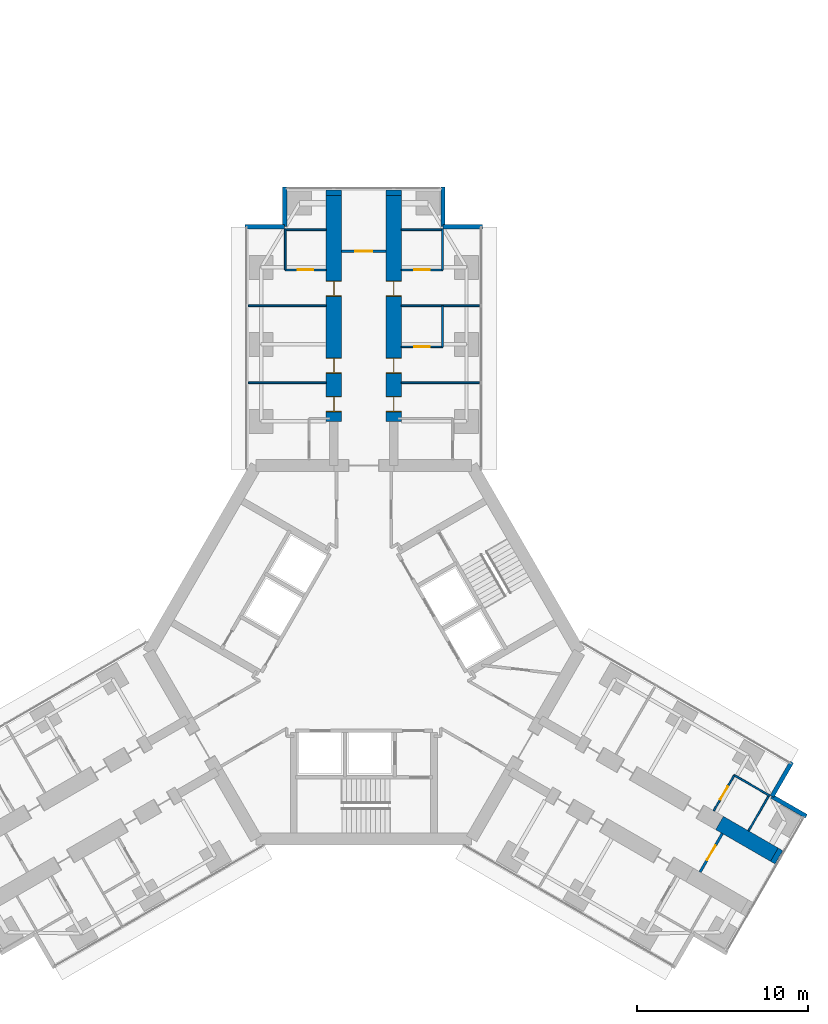
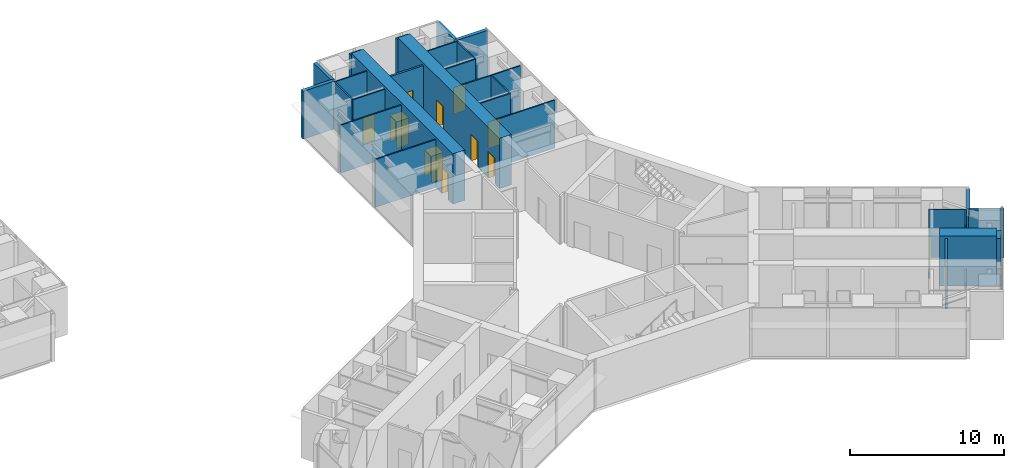
# One storey, part 23 of 25: 29 walls, 12 doors, 12 openings.
"""IFC4 building model written with IfcOpenShell, lengths in metres."""

from ifc_helpers import new_model, si_unit, direction, frame, frame_2d, origin, place, context, subcontext, project, spatial, rectangle, extrude, material, layer, layer_set, type_object, element, fill, save


model = new_model("IFC4")

# Units and contexts
model_context = context("Model", 3, precision=1e-05, world=origin(), true_north=direction((0.0, 1.0)))
body_context = subcontext(model_context, "Body", "Model", "MODEL_VIEW")
ifc_project = project(units=[si_unit("LENGTHUNIT", "METRE"), si_unit("AREAUNIT", "SQUARE_METRE"), si_unit("VOLUMEUNIT", "CUBIC_METRE"), si_unit("PLANEANGLEUNIT", "RADIAN"), si_unit("MASSUNIT", "GRAM", prefix="KILO")], contexts=[model_context])

# Site, building, storey
site_placement = place(None, origin())
site = spatial("IfcSite", under=ifc_project, at=site_placement, CompositionType="ELEMENT")
building_placement = place(site_placement, origin())
building = spatial("IfcBuilding", under=site, at=building_placement, Name="Upepo Twin Towers", CompositionType="ELEMENT")
storey_placement = place(building_placement, frame((0.0, 0.0, 72.5)))
storey = spatial("IfcBuildingStorey", under=building, at=storey_placement, Name="L17", CompositionType="ELEMENT", Elevation=72.5)

# Walls
ifc_material_1 = material(Name="Dense concrete blockwork", Category="masonry")
ifc_layer_1 = layer(ifc_material_1, 0.89990234375)
ifc_layer_set_1 = layer_set([ifc_layer_1], Name="Buttress closer 900, blockwork with fire-stopping to the curtain wall")
wall_type_1 = type_object("IfcWallType", Name="Buttress closer 900, blockwork with fire-stopping to the curtain wall", PredefinedType="PARTITIONING", material=ifc_layer_set_1)
for number, where, z_axis, x_axis, name in (
    (1, (56.75, 8.699951171875, 0.0), (0.0, 0.0, 1.0), (0.0, 1.0, 0.0), "T2 L17 wing A buttress closer L"),
    (2, (60.25, 8.699951171875, 0.0), (0.0, 0.0, 1.0), (0.0, 1.0, 0.0), "T2 L17 wing A buttress closer R"),
    (3, (82.497802734375, -29.83447265625, 0.0), (0.0, 0.0, 1.0), (0.866054481515, -0.499949632511, 0.0), "T2 L17 wing C buttress closer L"),
):
    element("IfcWall", number, at=place(storey_placement, frame(where, z_axis=z_axis, x_axis=x_axis)), inside=storey, type_object=wall_type_1, Name=name, PredefinedType="PARTITIONING", context=body_context, shape_type="SweptSolid", body=[
        extrude(rectangle(XDim=0.31005859375, YDim=0.89990234375, at=frame_2d((0.155029296875, 0.0))), origin(), (0.0, 0.0, 1.0), 3.800048828125),
    ])

# Wall, openings, doors
ifc_material_2 = material(Name="Concrete C60/75", Category="concrete")
ifc_layer_2 = layer(ifc_material_2, 0.89990234375)
ifc_layer_set_2 = layer_set([ifc_layer_2], Name="Concrete C60/75")
wall_type_2 = type_object("IfcWallType", Name="Buttress wall 900 RC", PredefinedType="SHEAR", material=ifc_layer_set_2)
wall_1_placement = place(storey_placement, frame((56.75, -4.5, 0.0), z_axis=(0.0, 0.0, 1.0), x_axis=(0.0, 1.0, 0.0)))
wall_1 = element("IfcWall", 4, at=wall_1_placement, inside=storey, type_object=wall_type_2, Name="T2 wing A buttress wall L part 2", PredefinedType="SHEAR", context=body_context, shape_type="SweptSolid", body=[
    extrude(rectangle(XDim=13.199951171875, YDim=0.89990234375, at=frame_2d((6.60009765625, 0.0))), origin(), (0.0, 0.0, 1.0), 4.0),
])
opening_1_placement = place(wall_1_placement, frame((0.550048828125, 0.0, 0.0)))
opening_1 = element("IfcOpeningElement", 5, at=opening_1_placement, cuts=wall_1, Name="Opening D11", PredefinedType="OPENING", context=body_context, shape_type="SweptSolid", body=[
    extrude(rectangle(XDim=0.89990234375, YDim=2.10009765625, at=frame_2d((0.449951171875, 1.050048828125))), frame((0.0, 0.4599609375, 0.0), z_axis=(0.0, -1.0, 0.0), x_axis=(1.0, 0.0, 0.0)), (0.0, 0.0, 1.0), 0.919921875),
])
opening_2_placement = place(wall_1_placement, frame((2.800048828125, 0.0, 0.0)))
opening_2 = element("IfcOpeningElement", 6, at=opening_2_placement, cuts=wall_1, Name="Opening D14", PredefinedType="OPENING", context=body_context, shape_type="SweptSolid", body=[
    extrude(rectangle(XDim=0.89990234375, YDim=2.10009765625, at=frame_2d((0.449951171875, 1.050048828125))), frame((0.0, 0.4599609375, 0.0), z_axis=(0.0, -1.0, 0.0), x_axis=(1.0, 0.0, 0.0)), (0.0, 0.0, 1.0), 0.919921875),
])
opening_3_placement = place(wall_1_placement, frame((7.300048828125, 0.0, 0.0)))
opening_3 = element("IfcOpeningElement", 7, at=opening_3_placement, cuts=wall_1, Name="Opening D14", PredefinedType="OPENING", context=body_context, shape_type="SweptSolid", body=[
    extrude(rectangle(XDim=0.89990234375, YDim=2.10009765625, at=frame_2d((0.449951171875, 1.050048828125))), frame((0.0, 0.4599609375, 0.0), z_axis=(0.0, -1.0, 0.0), x_axis=(1.0, 0.0, 0.0)), (0.0, 0.0, 1.0), 0.919921875),
])
ifc_material_3 = material(Name="Timber doorset", Category="wood")
door_type_1 = type_object("IfcDoorType", Name="Office door 900 FD30", OperationType="SINGLE_SWING_LEFT", PredefinedType="DOOR", material=ifc_material_3)
door_1_placement = place(opening_2_placement, origin())
door_1 = element("IfcDoor", 8, at=door_1_placement, inside=storey, type_object=door_type_1, Name="T2 L17 staff office door", OperationType="SINGLE_SWING_LEFT", OverallHeight=2.10009765625, OverallWidth=0.89990234375, PredefinedType="DOOR", context=body_context, shape_type="SweptSolid", body=[
    extrude(rectangle(XDim=0.81990234375, YDim=2.06009765625, at=frame_2d((0.449951171875, 1.030029296875))), frame((0.0, 0.02490234375, 0.0), z_axis=(0.0, -1.0, 0.0), x_axis=(1.0, 0.0, 0.0)), (0.0, 0.0, 1.0), 0.050048828125),
    extrude(rectangle(XDim=0.04, YDim=2.10009765625, at=frame_2d((0.02001953125, 1.050048828125))), frame((0.0, 0.44970703125, 0.0), z_axis=(0.0, -1.0, 0.0), x_axis=(1.0, 0.0, 0.0)), (0.0, 0.0, 1.0), 0.8994140625),
    extrude(rectangle(XDim=0.04, YDim=2.10009765625, at=frame_2d((0.8798828125, 1.050048828125))), frame((0.0, 0.44970703125, 0.0), z_axis=(0.0, -1.0, 0.0), x_axis=(1.0, 0.0, 0.0)), (0.0, 0.0, 1.0), 0.8994140625),
    extrude(rectangle(XDim=0.81990234375, YDim=0.04, at=frame_2d((0.449951171875, 2.080078125))), frame((0.0, 0.44970703125, 0.0), z_axis=(0.0, -1.0, 0.0), x_axis=(1.0, 0.0, 0.0)), (0.0, 0.0, 1.0), 0.8994140625),
])
fill(opening_2, door_1)
door_2_placement = place(opening_3_placement, origin())
door_2 = element("IfcDoor", 9, at=door_2_placement, inside=storey, type_object=door_type_1, Name="T2 L17 meeting room door", OperationType="SINGLE_SWING_RIGHT", OverallHeight=2.10009765625, OverallWidth=0.89990234375, PredefinedType="DOOR", context=body_context, shape_type="SweptSolid", body=[
    extrude(rectangle(XDim=0.81990234375, YDim=2.06009765625, at=frame_2d((0.449951171875, 1.030029296875))), frame((0.0, 0.02490234375, 0.0), z_axis=(0.0, -1.0, 0.0), x_axis=(1.0, 0.0, 0.0)), (0.0, 0.0, 1.0), 0.050048828125),
    extrude(rectangle(XDim=0.04, YDim=2.10009765625, at=frame_2d((0.02001953125, 1.050048828125))), frame((0.0, 0.44970703125, 0.0), z_axis=(0.0, -1.0, 0.0), x_axis=(1.0, 0.0, 0.0)), (0.0, 0.0, 1.0), 0.8994140625),
    extrude(rectangle(XDim=0.04, YDim=2.10009765625, at=frame_2d((0.8798828125, 1.050048828125))), frame((0.0, 0.44970703125, 0.0), z_axis=(0.0, -1.0, 0.0), x_axis=(1.0, 0.0, 0.0)), (0.0, 0.0, 1.0), 0.8994140625),
    extrude(rectangle(XDim=0.81990234375, YDim=0.04, at=frame_2d((0.449951171875, 2.080078125))), frame((0.0, 0.44970703125, 0.0), z_axis=(0.0, -1.0, 0.0), x_axis=(1.0, 0.0, 0.0)), (0.0, 0.0, 1.0), 0.8994140625),
])
fill(opening_3, door_2)
ifc_material_4 = material(Name="Timber doorset", Category="wood")
door_type_2 = type_object("IfcDoorType", Name="Toilet door 900", OperationType="SINGLE_SWING_LEFT", PredefinedType="DOOR", material=ifc_material_4)
door_3_placement = place(opening_1_placement, origin())
door_3 = element("IfcDoor", 10, at=door_3_placement, inside=storey, type_object=door_type_2, Name="T2 L17 toilets door", OperationType="SINGLE_SWING_LEFT", OverallHeight=2.10009765625, OverallWidth=0.89990234375, PredefinedType="DOOR", context=body_context, shape_type="SweptSolid", body=[
    extrude(rectangle(XDim=0.81990234375, YDim=2.06009765625, at=frame_2d((0.449951171875, 1.030029296875))), frame((0.0, 0.02490234375, 0.0), z_axis=(0.0, -1.0, 0.0), x_axis=(1.0, 0.0, 0.0)), (0.0, 0.0, 1.0), 0.050048828125),
    extrude(rectangle(XDim=0.04, YDim=2.10009765625, at=frame_2d((0.02001953125, 1.050048828125))), frame((0.0, 0.44970703125, 0.0), z_axis=(0.0, -1.0, 0.0), x_axis=(1.0, 0.0, 0.0)), (0.0, 0.0, 1.0), 0.8994140625),
    extrude(rectangle(XDim=0.04, YDim=2.10009765625, at=frame_2d((0.8798828125, 1.050048828125))), frame((0.0, 0.44970703125, 0.0), z_axis=(0.0, -1.0, 0.0), x_axis=(1.0, 0.0, 0.0)), (0.0, 0.0, 1.0), 0.8994140625),
    extrude(rectangle(XDim=0.81990234375, YDim=0.04, at=frame_2d((0.449951171875, 2.080078125))), frame((0.0, 0.44970703125, 0.0), z_axis=(0.0, -1.0, 0.0), x_axis=(1.0, 0.0, 0.0)), (0.0, 0.0, 1.0), 0.8994140625),
])
fill(opening_1, door_3)

wall_2_placement = place(storey_placement, frame((60.25, -4.5, 0.0), z_axis=(0.0, 0.0, 1.0), x_axis=(0.0, 1.0, 0.0)))
wall_2 = element("IfcWall", 11, at=wall_2_placement, inside=storey, type_object=wall_type_2, Name="T2 wing A buttress wall R part 2", PredefinedType="SHEAR", context=body_context, shape_type="SweptSolid", body=[
    extrude(rectangle(XDim=13.199951171875, YDim=0.89990234375, at=frame_2d((6.60009765625, 0.0))), origin(), (0.0, 0.0, 1.0), 4.0),
])
opening_4_placement = place(wall_2_placement, frame((0.550048828125, 0.0, 0.0)))
opening_4 = element("IfcOpeningElement", 12, at=opening_4_placement, cuts=wall_2, Name="Opening D11", PredefinedType="OPENING", context=body_context, shape_type="SweptSolid", body=[
    extrude(rectangle(XDim=0.89990234375, YDim=2.10009765625, at=frame_2d((0.449951171875, 1.050048828125))), frame((0.0, 0.4599609375, 0.0), z_axis=(0.0, -1.0, 0.0), x_axis=(1.0, 0.0, 0.0)), (0.0, 0.0, 1.0), 0.919921875),
])
opening_5_placement = place(wall_2_placement, frame((2.800048828125, 0.0, 0.0)))
opening_5 = element("IfcOpeningElement", 13, at=opening_5_placement, cuts=wall_2, Name="Opening D14", PredefinedType="OPENING", context=body_context, shape_type="SweptSolid", body=[
    extrude(rectangle(XDim=0.89990234375, YDim=2.10009765625, at=frame_2d((0.449951171875, 1.050048828125))), frame((0.0, 0.4599609375, 0.0), z_axis=(0.0, -1.0, 0.0), x_axis=(1.0, 0.0, 0.0)), (0.0, 0.0, 1.0), 0.919921875),
])
opening_6_placement = place(wall_2_placement, frame((7.300048828125, 0.0, 0.0)))
opening_6 = element("IfcOpeningElement", 14, at=opening_6_placement, cuts=wall_2, Name="Opening D14", PredefinedType="OPENING", context=body_context, shape_type="SweptSolid", body=[
    extrude(rectangle(XDim=0.89990234375, YDim=2.10009765625, at=frame_2d((0.449951171875, 1.050048828125))), frame((0.0, 0.4599609375, 0.0), z_axis=(0.0, -1.0, 0.0), x_axis=(1.0, 0.0, 0.0)), (0.0, 0.0, 1.0), 0.919921875),
])
door_4_placement = place(opening_5_placement, origin())
door_4 = element("IfcDoor", 15, at=door_4_placement, inside=storey, type_object=door_type_1, Name="T2 L17 staff office door", OperationType="SINGLE_SWING_LEFT", OverallHeight=2.10009765625, OverallWidth=0.89990234375, PredefinedType="DOOR", context=body_context, shape_type="SweptSolid", body=[
    extrude(rectangle(XDim=0.81990234375, YDim=2.06009765625, at=frame_2d((0.449951171875, 1.030029296875))), frame((0.0, 0.02490234375, 0.0), z_axis=(0.0, -1.0, 0.0), x_axis=(1.0, 0.0, 0.0)), (0.0, 0.0, 1.0), 0.050048828125),
    extrude(rectangle(XDim=0.04, YDim=2.10009765625, at=frame_2d((0.02001953125, 1.050048828125))), frame((0.0, 0.44970703125, 0.0), z_axis=(0.0, -1.0, 0.0), x_axis=(1.0, 0.0, 0.0)), (0.0, 0.0, 1.0), 0.8994140625),
    extrude(rectangle(XDim=0.04, YDim=2.10009765625, at=frame_2d((0.8798828125, 1.050048828125))), frame((0.0, 0.44970703125, 0.0), z_axis=(0.0, -1.0, 0.0), x_axis=(1.0, 0.0, 0.0)), (0.0, 0.0, 1.0), 0.8994140625),
    extrude(rectangle(XDim=0.81990234375, YDim=0.04, at=frame_2d((0.449951171875, 2.080078125))), frame((0.0, 0.44970703125, 0.0), z_axis=(0.0, -1.0, 0.0), x_axis=(1.0, 0.0, 0.0)), (0.0, 0.0, 1.0), 0.8994140625),
])
fill(opening_5, door_4)
door_5_placement = place(opening_6_placement, origin())
door_5 = element("IfcDoor", 16, at=door_5_placement, inside=storey, type_object=door_type_1, Name="T2 L17 postgraduate office door", OperationType="SINGLE_SWING_RIGHT", OverallHeight=2.10009765625, OverallWidth=0.89990234375, PredefinedType="DOOR", context=body_context, shape_type="SweptSolid", body=[
    extrude(rectangle(XDim=0.81990234375, YDim=2.06009765625, at=frame_2d((0.449951171875, 1.030029296875))), frame((0.0, 0.02490234375, 0.0), z_axis=(0.0, -1.0, 0.0), x_axis=(1.0, 0.0, 0.0)), (0.0, 0.0, 1.0), 0.050048828125),
    extrude(rectangle(XDim=0.04, YDim=2.10009765625, at=frame_2d((0.02001953125, 1.050048828125))), frame((0.0, 0.44970703125, 0.0), z_axis=(0.0, -1.0, 0.0), x_axis=(1.0, 0.0, 0.0)), (0.0, 0.0, 1.0), 0.8994140625),
    extrude(rectangle(XDim=0.04, YDim=2.10009765625, at=frame_2d((0.8798828125, 1.050048828125))), frame((0.0, 0.44970703125, 0.0), z_axis=(0.0, -1.0, 0.0), x_axis=(1.0, 0.0, 0.0)), (0.0, 0.0, 1.0), 0.8994140625),
    extrude(rectangle(XDim=0.81990234375, YDim=0.04, at=frame_2d((0.449951171875, 2.080078125))), frame((0.0, 0.44970703125, 0.0), z_axis=(0.0, -1.0, 0.0), x_axis=(1.0, 0.0, 0.0)), (0.0, 0.0, 1.0), 0.8994140625),
])
fill(opening_6, door_5)
door_6_placement = place(opening_4_placement, origin())
door_6 = element("IfcDoor", 17, at=door_6_placement, inside=storey, type_object=door_type_2, Name="T2 L17 accessible wc door", OperationType="SINGLE_SWING_LEFT", OverallHeight=2.10009765625, OverallWidth=0.89990234375, PredefinedType="DOOR", context=body_context, shape_type="SweptSolid", body=[
    extrude(rectangle(XDim=0.81990234375, YDim=2.06009765625, at=frame_2d((0.449951171875, 1.030029296875))), frame((0.0, 0.02490234375, 0.0), z_axis=(0.0, -1.0, 0.0), x_axis=(1.0, 0.0, 0.0)), (0.0, 0.0, 1.0), 0.050048828125),
    extrude(rectangle(XDim=0.04, YDim=2.10009765625, at=frame_2d((0.02001953125, 1.050048828125))), frame((0.0, 0.44970703125, 0.0), z_axis=(0.0, -1.0, 0.0), x_axis=(1.0, 0.0, 0.0)), (0.0, 0.0, 1.0), 0.8994140625),
    extrude(rectangle(XDim=0.04, YDim=2.10009765625, at=frame_2d((0.8798828125, 1.050048828125))), frame((0.0, 0.44970703125, 0.0), z_axis=(0.0, -1.0, 0.0), x_axis=(1.0, 0.0, 0.0)), (0.0, 0.0, 1.0), 0.8994140625),
    extrude(rectangle(XDim=0.81990234375, YDim=0.04, at=frame_2d((0.449951171875, 2.080078125))), frame((0.0, 0.44970703125, 0.0), z_axis=(0.0, -1.0, 0.0), x_axis=(1.0, 0.0, 0.0)), (0.0, 0.0, 1.0), 0.8994140625),
])
fill(opening_4, door_6)

# Walls
wall_3_placement = place(storey_placement, frame((79.293701171875, -27.984375, 0.0), z_axis=(0.0, 0.0, 1.0), x_axis=(0.866000971088, -0.500042316284, 0.0)))
element("IfcWall", 18, at=wall_3_placement, inside=storey, type_object=wall_type_2, Name="T2 wing C buttress wall L part 3", PredefinedType="SHEAR", context=body_context, shape_type="SweptSolid", body=[
    extrude(rectangle(XDim=3.699951171875, YDim=0.89990234375, at=frame_2d((1.85009765625, 0.0))), origin(), (0.0, 0.0, 1.0), 4.0),
])
ifc_material_5 = material(Name="Blockwork with anodised aluminium cladding", Category="masonry")
ifc_layer_3 = layer(ifc_material_5, 0.25)
ifc_layer_set_3 = layer_set([ifc_layer_3], Name="Notch cladding wall 250, pale metal")
wall_type_3 = type_object("IfcWallType", Name="Notch cladding wall 250, pale metal", PredefinedType="STANDARD", material=ifc_layer_set_3)
for number, where, z_axis, x_axis, name in (
    (19, (51.550048828125, 6.875, 0.0), (0.0, 0.0, 1.0), (1.0, 0.0, 0.0), "T2 L17 wing A notch wall L1"),
    (20, (53.875, 6.875, 0.0), (0.0, 0.0, 1.0), (0.0, 1.0, 0.0), "T2 L17 wing A notch wall L2"),
    (21, (65.449951171875, 6.875, 0.0), (0.0, 0.0, 1.0), (-1.0, 0.0, 0.0), "T2 L17 wing A notch wall R1"),
    (22, (63.125, 6.875, 0.0), (0.0, 0.0, 1.0), (0.0, 1.0, 0.0), "T2 L17 wing A notch wall R2"),
    (23, (83.517333984375, -24.418701171875, 0.0), (0.0, 0.0, 1.0), (-0.499967891604, -0.866043940782, 0.0), "T2 L17 wing C notch wall L1"),
    (24, (82.35498046875, -26.43212890625, 0.0), (0.0, 0.0, 1.0), (0.865998469481, -0.500046648681, 0.0), "T2 L17 wing C notch wall L2"),
):
    element("IfcWall", number, at=place(storey_placement, frame(where, z_axis=z_axis, x_axis=x_axis)), inside=storey, type_object=wall_type_3, Name=name, PredefinedType="STANDARD", context=body_context, shape_type="SweptSolid", body=[
        extrude(rectangle(XDim=2.324951171875, YDim=0.25, at=frame_2d((1.16259765625, 0.0))), origin(), (0.0, 0.0, 1.0), 3.800048828125),
    ])
ifc_material_6 = material(Name="Gypsum board on steel studs", Category="steel")
ifc_layer_4 = layer(ifc_material_6, 0.10009765625)
ifc_layer_set_4 = layer_set([ifc_layer_4], Name="Office partition 100 stud")
wall_type_4 = type_object("IfcWallType", Name="Office partition 100 stud", PredefinedType="PARTITIONING", material=ifc_layer_set_4)
for number, where, z_axis, x_axis, name in (
    (25, (56.300048828125, -2.25, 0.0), (0.0, 0.0, 1.0), (-1.0, 0.0, 0.0), "T2 partition AL at 15.75"),
    (26, (56.300048828125, 2.25, 0.0), (0.0, 0.0, 1.0), (-1.0, 0.0, 0.0), "T2 partition AL at 20.25"),
):
    element("IfcWall", number, at=place(storey_placement, frame(where, z_axis=z_axis, x_axis=x_axis)), inside=storey, type_object=wall_type_4, Name=name, PredefinedType="PARTITIONING", context=body_context, shape_type="SweptSolid", body=[
        extrude(rectangle(XDim=4.550048828125, YDim=0.10009765625, at=frame_2d((2.27490234375, 0.0))), origin(), (0.0, 0.0, 1.0), 3.800048828125),
    ])
wall_4_placement = place(storey_placement, frame((53.89990234375, 4.35009765625, 0.0), z_axis=(0.0, 0.0, 1.0), x_axis=(0.0, 1.0, 0.0)))
element("IfcWall", 27, at=wall_4_placement, inside=storey, type_object=wall_type_4, Name="T2 inner room partition AL at 22.35", PredefinedType="PARTITIONING", context=body_context, shape_type="SweptSolid", body=[
    extrude(rectangle(XDim=2.39990234375, YDim=0.10009765625, at=frame_2d((1.199951171875, 0.0))), origin(), (0.0, 0.0, 1.0), 3.800048828125),
])

# Wall, opening, door
wall_5_placement = place(storey_placement, frame((56.300048828125, 4.35009765625, 0.0), z_axis=(0.0, 0.0, 1.0), x_axis=(-1.0, 0.0, 0.0)))
wall_5 = element("IfcWall", 28, at=wall_5_placement, inside=storey, type_object=wall_type_4, Name="T2 inner room partition AL end at 22.35", PredefinedType="PARTITIONING", context=body_context, shape_type="SweptSolid", body=[
    extrude(rectangle(XDim=2.400146484375, YDim=0.10009765625, at=frame_2d((1.2001953125, 0.0))), origin(), (0.0, 0.0, 1.0), 3.800048828125),
])
opening_7_placement = place(wall_5_placement, frame((0.75, 0.0, 0.0)))
opening_7 = element("IfcOpeningElement", 29, at=opening_7_placement, cuts=wall_5, Name="Opening D14", PredefinedType="OPENING", context=body_context, shape_type="SweptSolid", body=[
    extrude(rectangle(XDim=0.89990234375, YDim=2.10009765625, at=frame_2d((0.449951171875, 1.050048828125))), frame((0.0, 0.06005859375, 0.0), z_axis=(0.0, -1.0, 0.0), x_axis=(1.0, 0.0, 0.0)), (0.0, 0.0, 1.0), 0.1201171875),
])
door_7_placement = place(opening_7_placement, origin())
door_7 = element("IfcDoor", 30, at=door_7_placement, inside=storey, type_object=door_type_1, Name="T2 L17 inner room door", OperationType="SINGLE_SWING_LEFT", OverallHeight=2.10009765625, OverallWidth=0.89990234375, PredefinedType="DOOR", context=body_context, shape_type="SweptSolid", body=[
    extrude(rectangle(XDim=0.89990234375, YDim=2.10009765625, at=frame_2d((0.449951171875, 1.050048828125))), frame((0.0, 0.02490234375, 0.0), z_axis=(0.0, -1.0, 0.0), x_axis=(1.0, 0.0, 0.0)), (0.0, 0.0, 1.0), 0.050048828125),
])
fill(opening_7, door_7)

# Walls
wall_6_placement = place(storey_placement, frame((56.300048828125, 6.699951171875, 0.0), z_axis=(0.0, 0.0, 1.0), x_axis=(-1.0, 0.0, 0.0)))
element("IfcWall", 31, at=wall_6_placement, inside=storey, type_object=wall_type_4, Name="T2 inner room partition AL end at 24.75", PredefinedType="PARTITIONING", context=body_context, shape_type="SweptSolid", body=[
    extrude(rectangle(XDim=2.400146484375, YDim=0.10009765625, at=frame_2d((1.2001953125, 0.0))), origin(), (0.0, 0.0, 1.0), 3.800048828125),
])
for number, where, z_axis, x_axis, name in (
    (32, (60.699951171875, -2.25, 0.0), (0.0, 0.0, 1.0), (1.0, 0.0, 0.0), "T2 partition AR at 15.75"),
    (33, (60.699951171875, 2.25, 0.0), (0.0, 0.0, 1.0), (1.0, 0.0, 0.0), "T2 partition AR at 20.25"),
):
    element("IfcWall", number, at=place(storey_placement, frame(where, z_axis=z_axis, x_axis=x_axis)), inside=storey, type_object=wall_type_4, Name=name, PredefinedType="PARTITIONING", context=body_context, shape_type="SweptSolid", body=[
        extrude(rectangle(XDim=4.550048828125, YDim=0.10009765625, at=frame_2d((2.27490234375, 0.0))), origin(), (0.0, 0.0, 1.0), 3.800048828125),
    ])
wall_7_placement = place(storey_placement, frame((63.10009765625, -0.14990234375, 0.0), z_axis=(0.0, 0.0, 1.0), x_axis=(0.0, 1.0, 0.0)))
element("IfcWall", 34, at=wall_7_placement, inside=storey, type_object=wall_type_4, Name="T2 inner room partition AR at 17.85", PredefinedType="PARTITIONING", context=body_context, shape_type="SweptSolid", body=[
    extrude(rectangle(XDim=2.39990234375, YDim=0.10009765625, at=frame_2d((1.199951171875, 0.0))), origin(), (0.0, 0.0, 1.0), 3.800048828125),
])

# Wall, opening, door
wall_8_placement = place(storey_placement, frame((60.699951171875, -0.14990234375, 0.0), z_axis=(0.0, 0.0, 1.0), x_axis=(1.0, 0.0, 0.0)))
wall_8 = element("IfcWall", 35, at=wall_8_placement, inside=storey, type_object=wall_type_4, Name="T2 inner room partition AR end at 17.85", PredefinedType="PARTITIONING", context=body_context, shape_type="SweptSolid", body=[
    extrude(rectangle(XDim=2.400146484375, YDim=0.10009765625, at=frame_2d((1.2001953125, 0.0))), origin(), (0.0, 0.0, 1.0), 3.800048828125),
])
opening_8_placement = place(wall_8_placement, frame((0.75, 0.0, 0.0)))
opening_8 = element("IfcOpeningElement", 36, at=opening_8_placement, cuts=wall_8, Name="Opening D14", PredefinedType="OPENING", context=body_context, shape_type="SweptSolid", body=[
    extrude(rectangle(XDim=0.89990234375, YDim=2.10009765625, at=frame_2d((0.449951171875, 1.050048828125))), frame((0.0, 0.06005859375, 0.0), z_axis=(0.0, -1.0, 0.0), x_axis=(1.0, 0.0, 0.0)), (0.0, 0.0, 1.0), 0.1201171875),
])
door_8_placement = place(opening_8_placement, origin())
door_8 = element("IfcDoor", 37, at=door_8_placement, inside=storey, type_object=door_type_1, Name="T2 L17 inner room door", OperationType="SINGLE_SWING_LEFT", OverallHeight=2.10009765625, OverallWidth=0.89990234375, PredefinedType="DOOR", context=body_context, shape_type="SweptSolid", body=[
    extrude(rectangle(XDim=0.89990234375, YDim=2.10009765625, at=frame_2d((0.449951171875, 1.050048828125))), frame((0.0, 0.02490234375, 0.0), z_axis=(0.0, -1.0, 0.0), x_axis=(1.0, 0.0, 0.0)), (0.0, 0.0, 1.0), 0.050048828125),
])
fill(opening_8, door_8)

# Wall
wall_9_placement = place(storey_placement, frame((63.10009765625, 4.35009765625, 0.0), z_axis=(0.0, 0.0, 1.0), x_axis=(0.0, 1.0, 0.0)))
element("IfcWall", 38, at=wall_9_placement, inside=storey, type_object=wall_type_4, Name="T2 inner room partition AR at 22.35", PredefinedType="PARTITIONING", context=body_context, shape_type="SweptSolid", body=[
    extrude(rectangle(XDim=2.39990234375, YDim=0.10009765625, at=frame_2d((1.199951171875, 0.0))), origin(), (0.0, 0.0, 1.0), 3.800048828125),
])

# Wall, opening, door
wall_10_placement = place(storey_placement, frame((60.699951171875, 4.35009765625, 0.0), z_axis=(0.0, 0.0, 1.0), x_axis=(1.0, 0.0, 0.0)))
wall_10 = element("IfcWall", 39, at=wall_10_placement, inside=storey, type_object=wall_type_4, Name="T2 inner room partition AR end at 22.35", PredefinedType="PARTITIONING", context=body_context, shape_type="SweptSolid", body=[
    extrude(rectangle(XDim=2.400146484375, YDim=0.10009765625, at=frame_2d((1.2001953125, 0.0))), origin(), (0.0, 0.0, 1.0), 3.800048828125),
])
opening_9_placement = place(wall_10_placement, frame((0.75, 0.0, 0.0)))
opening_9 = element("IfcOpeningElement", 40, at=opening_9_placement, cuts=wall_10, Name="Opening D14", PredefinedType="OPENING", context=body_context, shape_type="SweptSolid", body=[
    extrude(rectangle(XDim=0.89990234375, YDim=2.10009765625, at=frame_2d((0.449951171875, 1.050048828125))), frame((0.0, 0.06005859375, 0.0), z_axis=(0.0, -1.0, 0.0), x_axis=(1.0, 0.0, 0.0)), (0.0, 0.0, 1.0), 0.1201171875),
])
door_9_placement = place(opening_9_placement, origin())
door_9 = element("IfcDoor", 41, at=door_9_placement, inside=storey, type_object=door_type_1, Name="T2 L17 inner room door", OperationType="SINGLE_SWING_LEFT", OverallHeight=2.10009765625, OverallWidth=0.89990234375, PredefinedType="DOOR", context=body_context, shape_type="SweptSolid", body=[
    extrude(rectangle(XDim=0.89990234375, YDim=2.10009765625, at=frame_2d((0.449951171875, 1.050048828125))), frame((0.0, 0.02490234375, 0.0), z_axis=(0.0, -1.0, 0.0), x_axis=(1.0, 0.0, 0.0)), (0.0, 0.0, 1.0), 0.050048828125),
])
fill(opening_9, door_9)

# Walls
wall_11_placement = place(storey_placement, frame((60.699951171875, 6.699951171875, 0.0), z_axis=(0.0, 0.0, 1.0), x_axis=(1.0, 0.0, 0.0)))
element("IfcWall", 42, at=wall_11_placement, inside=storey, type_object=wall_type_4, Name="T2 inner room partition AR end at 24.75", PredefinedType="PARTITIONING", context=body_context, shape_type="SweptSolid", body=[
    extrude(rectangle(XDim=2.400146484375, YDim=0.10009765625, at=frame_2d((1.2001953125, 0.0))), origin(), (0.0, 0.0, 1.0), 3.800048828125),
])
wall_12_placement = place(storey_placement, frame((80.15576171875, -25.191162109375, 0.0), z_axis=(0.0, 0.0, 1.0), x_axis=(0.865980596518, -0.500077600433, 0.0)))
element("IfcWall", 43, at=wall_12_placement, inside=storey, type_object=wall_type_4, Name="T2 inner room partition CL at 22.35", PredefinedType="PARTITIONING", context=body_context, shape_type="SweptSolid", body=[
    extrude(rectangle(XDim=2.39990234375, YDim=0.10009765625, at=frame_2d((1.199951171875, 0.0))), origin(), (0.0, 0.0, 1.0), 3.800048828125),
])

# Wall, opening, door
wall_13_placement = place(storey_placement, frame((78.95556640625, -27.269775390625, 0.0), z_axis=(0.0, 0.0, 1.0), x_axis=(0.500033551112, 0.866006032174, 0.0)))
wall_13 = element("IfcWall", 44, at=wall_13_placement, inside=storey, type_object=wall_type_4, Name="T2 inner room partition CL end at 22.35", PredefinedType="PARTITIONING", context=body_context, shape_type="SweptSolid", body=[
    extrude(rectangle(XDim=2.400146484375, YDim=0.10009765625, at=frame_2d((1.2001953125, 0.0))), origin(), (0.0, 0.0, 1.0), 3.800048828125),
])
opening_10_placement = place(wall_13_placement, frame((0.75, 0.0, 0.0)))
opening_10 = element("IfcOpeningElement", 45, at=opening_10_placement, cuts=wall_13, Name="Opening D14", PredefinedType="OPENING", context=body_context, shape_type="SweptSolid", body=[
    extrude(rectangle(XDim=0.89990234375, YDim=2.10009765625, at=frame_2d((0.449951171875, 1.050048828125))), frame((0.0, 0.06005859375, 0.0), z_axis=(0.0, -1.0, 0.0), x_axis=(1.0, 0.0, 0.0)), (0.0, 0.0, 1.0), 0.1201171875),
])
door_10_placement = place(opening_10_placement, origin())
door_10 = element("IfcDoor", 46, at=door_10_placement, inside=storey, type_object=door_type_1, Name="T2 L17 inner room door", OperationType="SINGLE_SWING_LEFT", OverallHeight=2.10009765625, OverallWidth=0.89990234375, PredefinedType="DOOR", context=body_context, shape_type="SweptSolid", body=[
    extrude(rectangle(XDim=0.89990234375, YDim=2.10009765625, at=frame_2d((0.449951171875, 1.050048828125))), frame((0.0, 0.02490234375, 0.0), z_axis=(0.0, -1.0, 0.0), x_axis=(1.0, 0.0, 0.0)), (0.0, 0.0, 1.0), 0.050048828125),
])
fill(opening_10, door_10)

# Wall
wall_14_placement = place(storey_placement, frame((80.99072265625, -28.44482421875, 0.0), z_axis=(0.0, 0.0, 1.0), x_axis=(0.500033551112, 0.866006032174, 0.0)))
element("IfcWall", 47, at=wall_14_placement, inside=storey, type_object=wall_type_4, Name="T2 inner room partition CL end at 24.75", PredefinedType="PARTITIONING", context=body_context, shape_type="SweptSolid", body=[
    extrude(rectangle(XDim=2.400146484375, YDim=0.10009765625, at=frame_2d((1.2001953125, 0.0))), origin(), (0.0, 0.0, 1.0), 3.800048828125),
])

# Wall, opening, door
ifc_material_7 = material(Name="Gypsum board on steel studs", Category="steel")
ifc_layer_5 = layer(ifc_material_7, 0.14990234375)
ifc_layer_set_5 = layer_set([ifc_layer_5], Name="Teaching partition 150 acoustic")
wall_type_5 = type_object("IfcWallType", Name="Teaching partition 150 acoustic", PredefinedType="PARTITIONING", material=ifc_layer_set_5)
wall_15_placement = place(storey_placement, frame((59.800048828125, 5.449951171875, 0.0), z_axis=(0.0, 0.0, 1.0), x_axis=(-1.0, 0.0, 0.0)))
wall_15 = element("IfcWall", 48, at=wall_15_placement, inside=storey, type_object=wall_type_5, Name="T2 corridor end partition A at 23.45", PredefinedType="PARTITIONING", context=body_context, shape_type="SweptSolid", body=[
    extrude(rectangle(XDim=2.60009765625, YDim=0.14990234375, at=frame_2d((1.300048828125, 0.0))), origin(), (0.0, 0.0, 1.0), 3.800048828125),
])
opening_11_placement = place(wall_15_placement, frame((0.800048828125, 0.0, 0.0)))
opening_11 = element("IfcOpeningElement", 49, at=opening_11_placement, cuts=wall_15, Name="Opening D1", PredefinedType="OPENING", context=body_context, shape_type="SweptSolid", body=[
    extrude(rectangle(XDim=1.0, YDim=2.10009765625, at=frame_2d((0.5, 1.050048828125))), frame((0.0, 0.0849609375, 0.0), z_axis=(0.0, -1.0, 0.0), x_axis=(1.0, 0.0, 0.0)), (0.0, 0.0, 1.0), 0.169921875),
])
ifc_material_8 = material(Name="Timber doorset", Category="wood")
door_type_3 = type_object("IfcDoorType", Name="Room door 1000 FD30", OperationType="SINGLE_SWING_LEFT", PredefinedType="DOOR", material=ifc_material_8)
door_11_placement = place(opening_11_placement, origin())
door_11 = element("IfcDoor", 50, at=door_11_placement, inside=storey, type_object=door_type_3, Name="T2 L17 breakout study room door", OperationType="SINGLE_SWING_LEFT", OverallHeight=2.10009765625, OverallWidth=1.0, PredefinedType="DOOR", context=body_context, shape_type="SweptSolid", body=[
    extrude(rectangle(XDim=1.0, YDim=2.10009765625, at=frame_2d((0.5, 1.050048828125))), frame((0.0, 0.02490234375, 0.0), z_axis=(0.0, -1.0, 0.0), x_axis=(1.0, 0.0, 0.0)), (0.0, 0.0, 1.0), 0.050048828125),
])
fill(opening_11, door_11)

wall_16_placement = place(storey_placement, frame((78.158203125, -30.850830078125, 0.0), z_axis=(0.0, 0.0, 1.0), x_axis=(0.500006934395, 0.866021400173, 0.0)))
wall_16 = element("IfcWall", 51, at=wall_16_placement, inside=storey, type_object=wall_type_5, Name="T2 corridor end partition C at 23.45", PredefinedType="PARTITIONING", context=body_context, shape_type="SweptSolid", body=[
    extrude(rectangle(XDim=2.60009765625, YDim=0.14990234375, at=frame_2d((1.300048828125, 0.0))), origin(), (0.0, 0.0, 1.0), 3.800048828125),
])
opening_12_placement = place(wall_16_placement, frame((0.800048828125, 0.0, 0.0)))
opening_12 = element("IfcOpeningElement", 52, at=opening_12_placement, cuts=wall_16, Name="Opening D1", PredefinedType="OPENING", context=body_context, shape_type="SweptSolid", body=[
    extrude(rectangle(XDim=1.0, YDim=2.10009765625, at=frame_2d((0.5, 1.050048828125))), frame((0.0, 0.0849609375, 0.0), z_axis=(0.0, -1.0, 0.0), x_axis=(1.0, 0.0, 0.0)), (0.0, 0.0, 1.0), 0.169921875),
])
door_12_placement = place(opening_12_placement, origin())
door_12 = element("IfcDoor", 53, at=door_12_placement, inside=storey, type_object=door_type_3, Name="T2 L17 breakout study room door", OperationType="SINGLE_SWING_LEFT", OverallHeight=2.10009765625, OverallWidth=1.0, PredefinedType="DOOR", context=body_context, shape_type="SweptSolid", body=[
    extrude(rectangle(XDim=1.0, YDim=2.10009765625, at=frame_2d((0.5, 1.050048828125))), frame((0.0, 0.02490234375, 0.0), z_axis=(0.0, -1.0, 0.0), x_axis=(1.0, 0.0, 0.0)), (0.0, 0.0, 1.0), 0.050048828125),
])
fill(opening_12, door_12)

save(model, "model.ifc")
